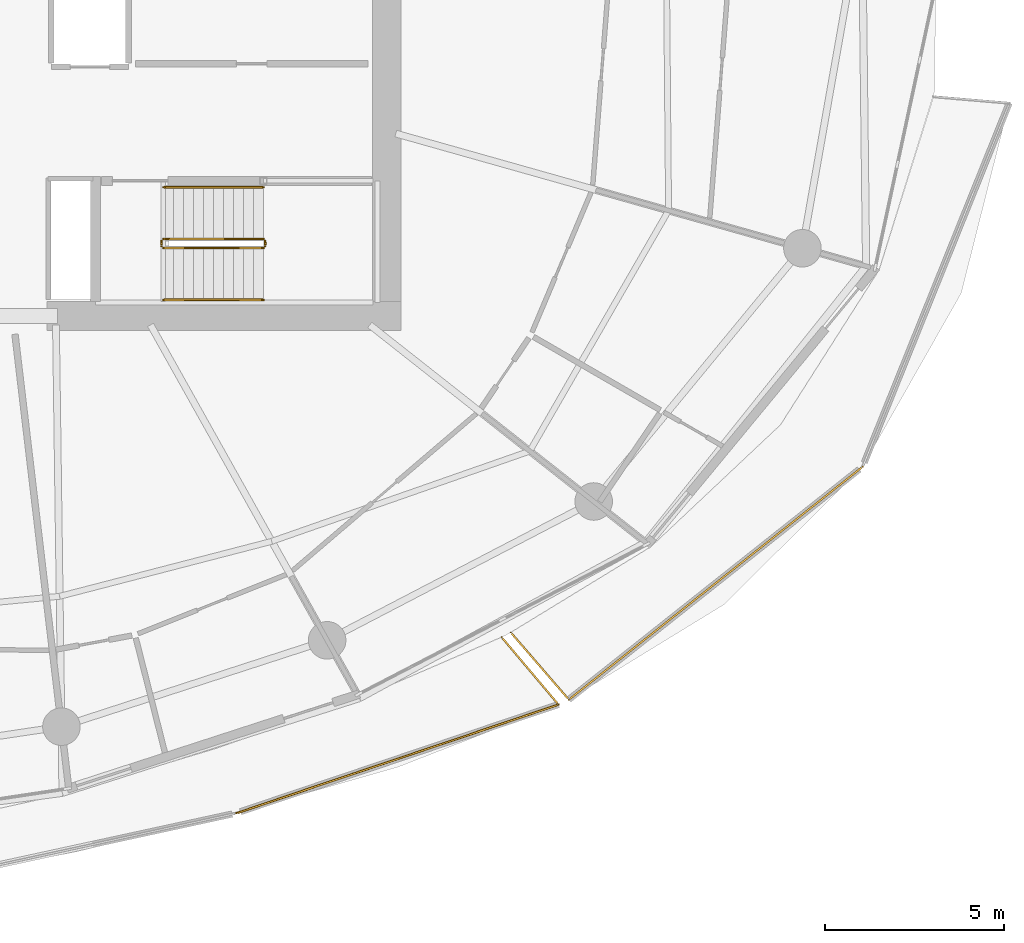
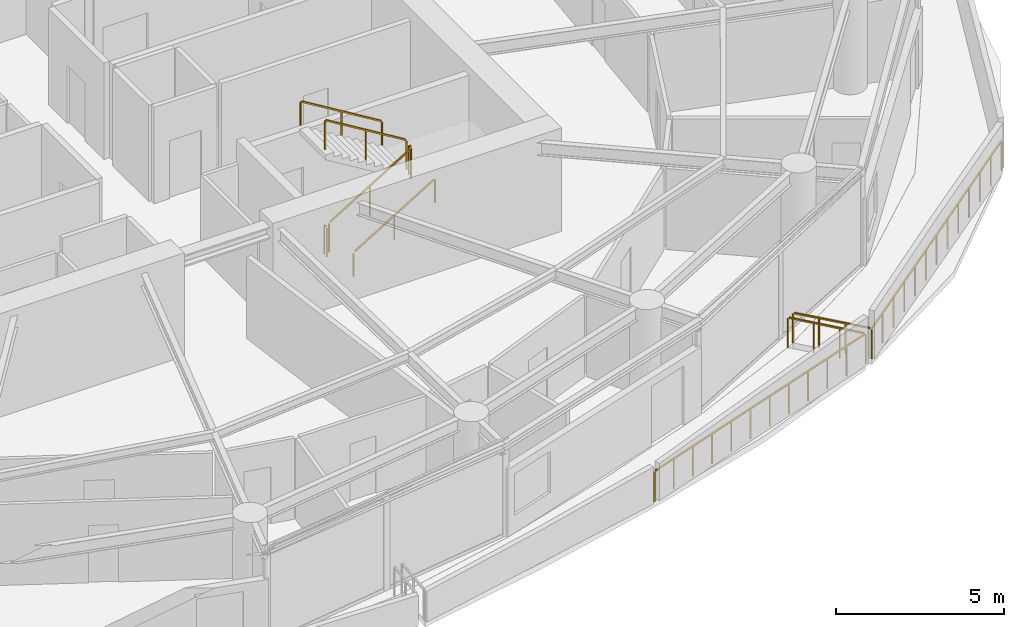
# One storey, part 18 of 20: 10 railings.
"""IFC4 building model written with IfcOpenShell, lengths in metres."""

from ifc_helpers import new_model, si_unit, direction, frame, origin, origin_2d, place, context, subcontext, project, spatial, rectangle, extrude, material, type_object, element, save


model = new_model("IFC4")

# Units and contexts
model_context = context("Model", 3, precision=1e-05, world=origin(), true_north=direction((0.0, 1.0)))
body_context = subcontext(model_context, "Body", "Model", "MODEL_VIEW")
ifc_project = project(units=[si_unit("LENGTHUNIT", "METRE"), si_unit("AREAUNIT", "SQUARE_METRE"), si_unit("VOLUMEUNIT", "CUBIC_METRE"), si_unit("PLANEANGLEUNIT", "RADIAN"), si_unit("MASSUNIT", "GRAM", prefix="KILO")], contexts=[model_context])

# Site, building, storey
site_placement = place(None, origin())
site = spatial("IfcSite", under=ifc_project, at=site_placement, CompositionType="ELEMENT")
building_placement = place(site_placement, origin())
building = spatial("IfcBuilding", under=site, at=building_placement, Name="Kazma Halo Residences", CompositionType="ELEMENT")
storey_placement = place(building_placement, frame((0.0, 0.0, 157.800048828125)))
storey = spatial("IfcBuildingStorey", under=building, at=storey_placement, Name="L39", CompositionType="ELEMENT", Elevation=157.800048828125)

# Railings
ifc_material_1 = material(Name="Aluminium AW-6063 T6 Brushed Cap Rail", Category="aluminium")
railing_type_1 = type_object("IfcRailingType", Name="RLG-BAL-CAP-1120", PredefinedType="BALUSTRADE", material=ifc_material_1)
railing_1_placement = place(storey_placement, frame((55.24609375, 19.69921875, 0.0)))
element("IfcRailing", 1, at=railing_1_placement, inside=storey, type_object=railing_type_1, Name="L39 SSE wave balcony guard 3", PredefinedType="BALUSTRADE", context=body_context, shape_type="SweptSolid", body=[
    extrude(rectangle(XDim=0.050048828125, YDim=0.050048828125, at=origin_2d()), frame((0.040283203125, 0.013671875, 1.09521484375), z_axis=(0.947577968419, 0.319524637183, 0.0), x_axis=(-0.319524637183, 0.947577968419, 0.0)), (0.0, 0.0, 1.0), 9.417724609375),
    extrude(rectangle(XDim=0.0400390625, YDim=0.0400390625, at=origin_2d()), origin(), (0.0, 0.0, 1.0), 1.05810546875),
    extrude(rectangle(XDim=0.0400390625, YDim=0.0400390625, at=origin_2d()), frame((0.818603515625, 0.276123046875, 0.0)), (0.0, 0.0, 1.0), 1.05810546875),
    extrude(rectangle(XDim=0.0400390625, YDim=0.0400390625, at=origin_2d()), frame((1.63720703125, 0.552001953125, 0.0)), (0.0, 0.0, 1.0), 1.05810546875),
    extrude(rectangle(XDim=0.0400390625, YDim=0.0400390625, at=origin_2d()), frame((2.455810546875, 0.828125, 0.0)), (0.0, 0.0, 1.0), 1.05810546875),
    extrude(rectangle(XDim=0.0400390625, YDim=0.0400390625, at=origin_2d()), frame((3.2744140625, 1.104248046875, 0.0)), (0.0, 0.0, 1.0), 1.05810546875),
    extrude(rectangle(XDim=0.0400390625, YDim=0.0400390625, at=origin_2d()), frame((4.093017578125, 1.380126953125, 0.0)), (0.0, 0.0, 1.0), 1.05810546875),
    extrude(rectangle(XDim=0.0400390625, YDim=0.0400390625, at=origin_2d()), frame((4.91162109375, 1.65625, 0.0)), (0.0, 0.0, 1.0), 1.05810546875),
    extrude(rectangle(XDim=0.0400390625, YDim=0.0400390625, at=origin_2d()), frame((5.730224609375, 1.93212890625, 0.0)), (0.0, 0.0, 1.0), 1.05810546875),
    extrude(rectangle(XDim=0.0400390625, YDim=0.0400390625, at=origin_2d()), frame((6.548828125, 2.208251953125, 0.0)), (0.0, 0.0, 1.0), 1.05810546875),
    extrude(rectangle(XDim=0.0400390625, YDim=0.0400390625, at=origin_2d()), frame((7.367431640625, 2.484375, 0.0)), (0.0, 0.0, 1.0), 1.05810546875),
    extrude(rectangle(XDim=0.0400390625, YDim=0.0400390625, at=origin_2d()), frame((8.18603515625, 2.76025390625, 0.0)), (0.0, 0.0, 1.0), 1.05810546875),
    extrude(rectangle(XDim=0.0400390625, YDim=0.0400390625, at=origin_2d()), frame((9.004638671875, 3.036376953125, 0.0)), (0.0, 0.0, 1.0), 1.05810546875),
])
railing_2_placement = place(storey_placement, frame((64.250732421875, 22.735595703125, 0.0)))
element("IfcRailing", 2, at=railing_2_placement, inside=storey, type_object=railing_type_1, Name="L39 SSE wave balcony guard 4", PredefinedType="BALUSTRADE", context=body_context, shape_type="SweptSolid", body=[
    extrude(rectangle(XDim=0.050048828125, YDim=0.050048828125, at=origin_2d()), frame((-0.02734375, 0.032470703125, 1.09521484375), z_axis=(-0.644760664692, 0.764384514015, 0.0), x_axis=(-0.764384514015, -0.644760664692, 0.0)), (0.0, 0.0, 1.0), 2.38037109375),
    extrude(rectangle(XDim=0.0400390625, YDim=0.0400390625, at=origin_2d()), origin(), (0.0, 0.0, 1.0), 1.05810546875),
    extrude(rectangle(XDim=0.0400390625, YDim=0.0400390625, at=origin_2d()), frame((-0.52978515625, 0.628173828125, 0.0)), (0.0, 0.0, 1.0), 1.05810546875),
    extrude(rectangle(XDim=0.0400390625, YDim=0.0400390625, at=origin_2d()), frame((-1.059814453125, 1.25634765625, 0.0)), (0.0, 0.0, 1.0), 1.05810546875),
    extrude(rectangle(XDim=0.0400390625, YDim=0.0400390625, at=origin_2d()), frame((-1.589599609375, 1.884521484375, 0.0)), (0.0, 0.0, 1.0), 1.05810546875),
])
railing_3_placement = place(storey_placement, frame((62.91455078125, 24.751953125, 0.0)))
element("IfcRailing", 3, at=railing_3_placement, inside=storey, type_object=railing_type_1, Name="L39 SE wave balcony guard 1", PredefinedType="BALUSTRADE", context=body_context, shape_type="SweptSolid", body=[
    extrude(rectangle(XDim=0.050048828125, YDim=0.050048828125, at=origin_2d()), frame((0.02783203125, -0.0322265625, 1.09521484375), z_axis=(0.65402422684, -0.756473602121, 0.0), x_axis=(0.756473602121, 0.65402422684, 0.0)), (0.0, 0.0, 1.0), 2.39794921875),
    extrude(rectangle(XDim=0.0400390625, YDim=0.0400390625, at=origin_2d()), origin(), (0.0, 0.0, 1.0), 1.05810546875),
    extrude(rectangle(XDim=0.0400390625, YDim=0.0400390625, at=origin_2d()), frame((0.541259765625, -0.626220703125, 0.0)), (0.0, 0.0, 1.0), 1.05810546875),
    extrude(rectangle(XDim=0.0400390625, YDim=0.0400390625, at=origin_2d()), frame((1.082763671875, -1.252197265625, 0.0)), (0.0, 0.0, 1.0), 1.05810546875),
    extrude(rectangle(XDim=0.0400390625, YDim=0.0400390625, at=origin_2d()), frame((1.6240234375, -1.87841796875, 0.0)), (0.0, 0.0, 1.0), 1.05810546875),
])
railing_4_placement = place(storey_placement, frame((64.53857421875, 22.87353515625, 0.0)))
element("IfcRailing", 4, at=railing_4_placement, inside=storey, type_object=railing_type_1, Name="L39 SE wave balcony guard 2", PredefinedType="BALUSTRADE", context=body_context, shape_type="SweptSolid", body=[
    extrude(rectangle(XDim=0.050048828125, YDim=0.050048828125, at=origin_2d()), frame((0.033447265625, 0.0263671875, 1.09521484375), z_axis=(0.783646207233, 0.621207390401, 0.0), x_axis=(-0.621207390401, 0.783646207233, 0.0)), (0.0, 0.0, 1.0), 10.399658203125),
    extrude(rectangle(XDim=0.0400390625, YDim=0.0400390625, at=origin_2d()), origin(), (0.0, 0.0, 1.0), 1.05810546875),
    extrude(rectangle(XDim=0.0400390625, YDim=0.0400390625, at=origin_2d()), frame((0.6845703125, 0.542724609375, 0.0)), (0.0, 0.0, 1.0), 1.05810546875),
    extrude(rectangle(XDim=0.0400390625, YDim=0.0400390625, at=origin_2d()), frame((1.369384765625, 1.08544921875, 0.0)), (0.0, 0.0, 1.0), 1.05810546875),
    extrude(rectangle(XDim=0.0400390625, YDim=0.0400390625, at=origin_2d()), frame((2.05419921875, 1.62841796875, 0.0)), (0.0, 0.0, 1.0), 1.05810546875),
    extrude(rectangle(XDim=0.0400390625, YDim=0.0400390625, at=origin_2d()), frame((2.73876953125, 2.171142578125, 0.0)), (0.0, 0.0, 1.0), 1.05810546875),
    extrude(rectangle(XDim=0.0400390625, YDim=0.0400390625, at=origin_2d()), frame((3.42333984375, 2.7138671875, 0.0)), (0.0, 0.0, 1.0), 1.05810546875),
    extrude(rectangle(XDim=0.0400390625, YDim=0.0400390625, at=origin_2d()), frame((4.108154296875, 3.256591796875, 0.0)), (0.0, 0.0, 1.0), 1.05810546875),
    extrude(rectangle(XDim=0.0400390625, YDim=0.0400390625, at=origin_2d()), frame((4.79296875, 3.79931640625, 0.0)), (0.0, 0.0, 1.0), 1.05810546875),
    extrude(rectangle(XDim=0.0400390625, YDim=0.0400390625, at=origin_2d()), frame((5.4775390625, 4.342041015625, 0.0)), (0.0, 0.0, 1.0), 1.05810546875),
    extrude(rectangle(XDim=0.0400390625, YDim=0.0400390625, at=origin_2d()), frame((6.162109375, 4.884765625, 0.0)), (0.0, 0.0, 1.0), 1.05810546875),
    extrude(rectangle(XDim=0.0400390625, YDim=0.0400390625, at=origin_2d()), frame((6.846923828125, 5.427734375, 0.0)), (0.0, 0.0, 1.0), 1.05810546875),
    extrude(rectangle(XDim=0.0400390625, YDim=0.0400390625, at=origin_2d()), frame((7.53173828125, 5.970458984375, 0.0)), (0.0, 0.0, 1.0), 1.05810546875),
    extrude(rectangle(XDim=0.0400390625, YDim=0.0400390625, at=origin_2d()), frame((8.21630859375, 6.51318359375, 0.0)), (0.0, 0.0, 1.0), 1.05810546875),
])
ifc_material_2 = material(Name="Painted Steel S355", Category="steel")
railing_type_2 = type_object("IfcRailingType", Name="RLG-STAIR-GRD-1100", PredefinedType="GUARDRAIL", material=ifc_material_2)
railing_5_placement = place(storey_placement, frame((53.199951171875, 35.5, 0.17041015625)))
element("IfcRailing", 5, at=railing_5_placement, inside=storey, type_object=railing_type_2, Name="L39 ST-03 stair guard 1", PredefinedType="GUARDRAIL", context=body_context, shape_type="SweptSolid", body=[
    extrude(rectangle(XDim=0.050048828125, YDim=0.050048828125, at=origin_2d()), frame((0.036376953125, 0.0, 1.09716796875), z_axis=(0.854169791009, 0.0, 0.51999420009), x_axis=(0.0, 1.0, 0.0)), (0.0, 0.0, 1.0), 3.193115234375),
    extrude(rectangle(XDim=0.0400390625, YDim=0.0400390625, at=origin_2d()), origin(), (0.0, 0.0, 1.0), 1.0380859375),
    extrude(rectangle(XDim=0.0400390625, YDim=0.0400390625, at=origin_2d()), frame((1.39990234375, 0.0, 0.852294921875)), (0.0, 0.0, 1.0), 1.0380859375),
    extrude(rectangle(XDim=0.0400390625, YDim=0.0400390625, at=origin_2d()), frame((2.800048828125, 0.0, 1.70458984375)), (0.0, 0.0, 1.0), 1.0380859375),
])
railing_6_placement = place(storey_placement, frame((56.050048828125, 35.550048828125, 1.875)))
element("IfcRailing", 6, at=railing_6_placement, inside=storey, type_object=railing_type_2, Name="L39 ST-03 stair guard 2", PredefinedType="GUARDRAIL", context=body_context, shape_type="SweptSolid", body=[
    extrude(rectangle(XDim=0.050048828125, YDim=0.050048828125, at=origin_2d()), frame((0.0, 0.04248046875, 1.0751953125), z_axis=(0.0, 1.0, 0.0), x_axis=(-1.0, 0.0, 0.0)), (0.0, 0.0, 1.0), 0.06494140625),
    extrude(rectangle(XDim=0.0400390625, YDim=0.0400390625, at=origin_2d()), origin(), (0.0, 0.0, 1.0), 1.0380859375),
    extrude(rectangle(XDim=0.0400390625, YDim=0.0400390625, at=origin_2d()), frame((0.0, 0.14990234375, 0.0)), (0.0, 0.0, 1.0), 1.0380859375),
])
railing_7_placement = place(storey_placement, frame((56.0, 35.75, 2.04541015625)))
element("IfcRailing", 7, at=railing_7_placement, inside=storey, type_object=railing_type_2, Name="L39 ST-03 stair guard 3", PredefinedType="GUARDRAIL", context=body_context, shape_type="SweptSolid", body=[
    extrude(rectangle(XDim=0.050048828125, YDim=0.050048828125, at=origin_2d()), frame((-0.036376953125, 0.0, 1.09716796875), z_axis=(-0.854169791009, 0.0, 0.51999420009), x_axis=(0.0, -1.0, 0.0)), (0.0, 0.0, 1.0), 3.193115234375),
    extrude(rectangle(XDim=0.0400390625, YDim=0.0400390625, at=origin_2d()), origin(), (0.0, 0.0, 1.0), 1.0380859375),
    extrude(rectangle(XDim=0.0400390625, YDim=0.0400390625, at=origin_2d()), frame((-1.39990234375, 0.0, 0.852294921875)), (0.0, 0.0, 1.0), 1.0380859375),
    extrude(rectangle(XDim=0.0400390625, YDim=0.0400390625, at=origin_2d()), frame((-2.800048828125, 0.0, 1.70458984375)), (0.0, 0.0, 1.0), 1.0380859375),
])
railing_8_placement = place(storey_placement, frame((53.14990234375, 35.550048828125, 0.0)))
element("IfcRailing", 8, at=railing_8_placement, inside=storey, type_object=railing_type_2, Name="L39 ST-03 stair guard 4", PredefinedType="GUARDRAIL", context=body_context, shape_type="SweptSolid", body=[
    extrude(rectangle(XDim=0.050048828125, YDim=0.050048828125, at=origin_2d()), frame((0.0, 0.04248046875, 1.0751953125), z_axis=(0.0, 1.0, 0.0), x_axis=(-1.0, 0.0, 0.0)), (0.0, 0.0, 1.0), 0.06494140625),
    extrude(rectangle(XDim=0.0400390625, YDim=0.0400390625, at=origin_2d()), origin(), (0.0, 0.0, 1.0), 1.0380859375),
    extrude(rectangle(XDim=0.0400390625, YDim=0.0400390625, at=origin_2d()), frame((0.0, 0.14990234375, 0.0)), (0.0, 0.0, 1.0), 1.0380859375),
])
ifc_material_3 = material(Name="Brushed Stainless Steel", Category="steel")
railing_type_3 = type_object("IfcRailingType", Name="RLG-STAIR-HND-900", PredefinedType="HANDRAIL", material=ifc_material_3)
railing_9_placement = place(storey_placement, frame((53.199951171875, 34.050048828125, 0.17041015625)))
element("IfcRailing", 9, at=railing_9_placement, inside=storey, type_object=railing_type_3, Name="L39 ST-03 stair handrail 1", PredefinedType="HANDRAIL", context=body_context, shape_type="SweptSolid", body=[
    extrude(rectangle(XDim=0.050048828125, YDim=0.050048828125, at=origin_2d()), frame((0.036376953125, 0.0, 0.89697265625), z_axis=(0.854169791009, 0.0, 0.51999420009), x_axis=(0.0, 1.0, 0.0)), (0.0, 0.0, 1.0), 3.193115234375),
    extrude(rectangle(XDim=0.0400390625, YDim=0.0400390625, at=origin_2d()), origin(), (0.0, 0.0, 1.0), 0.837890625),
    extrude(rectangle(XDim=0.0400390625, YDim=0.0400390625, at=origin_2d()), frame((1.39990234375, 0.0, 0.852294921875)), (0.0, 0.0, 1.0), 0.837890625),
    extrude(rectangle(XDim=0.0400390625, YDim=0.0400390625, at=origin_2d()), frame((2.800048828125, 0.0, 1.70458984375)), (0.0, 0.0, 1.0), 0.837890625),
])
railing_10_placement = place(storey_placement, frame((56.0, 37.199951171875, 2.04541015625)))
element("IfcRailing", 10, at=railing_10_placement, inside=storey, type_object=railing_type_3, Name="L39 ST-03 stair handrail 2", PredefinedType="HANDRAIL", context=body_context, shape_type="SweptSolid", body=[
    extrude(rectangle(XDim=0.050048828125, YDim=0.050048828125, at=origin_2d()), frame((-0.036376953125, 0.0, 0.89697265625), z_axis=(-0.854169791009, 0.0, 0.51999420009), x_axis=(0.0, -1.0, 0.0)), (0.0, 0.0, 1.0), 3.193115234375),
    extrude(rectangle(XDim=0.0400390625, YDim=0.0400390625, at=origin_2d()), origin(), (0.0, 0.0, 1.0), 0.837890625),
    extrude(rectangle(XDim=0.0400390625, YDim=0.0400390625, at=origin_2d()), frame((-1.39990234375, 0.0, 0.852294921875)), (0.0, 0.0, 1.0), 0.837890625),
    extrude(rectangle(XDim=0.0400390625, YDim=0.0400390625, at=origin_2d()), frame((-2.800048828125, 0.0, 1.70458984375)), (0.0, 0.0, 1.0), 0.837890625),
])

save(model, "model.ifc")
